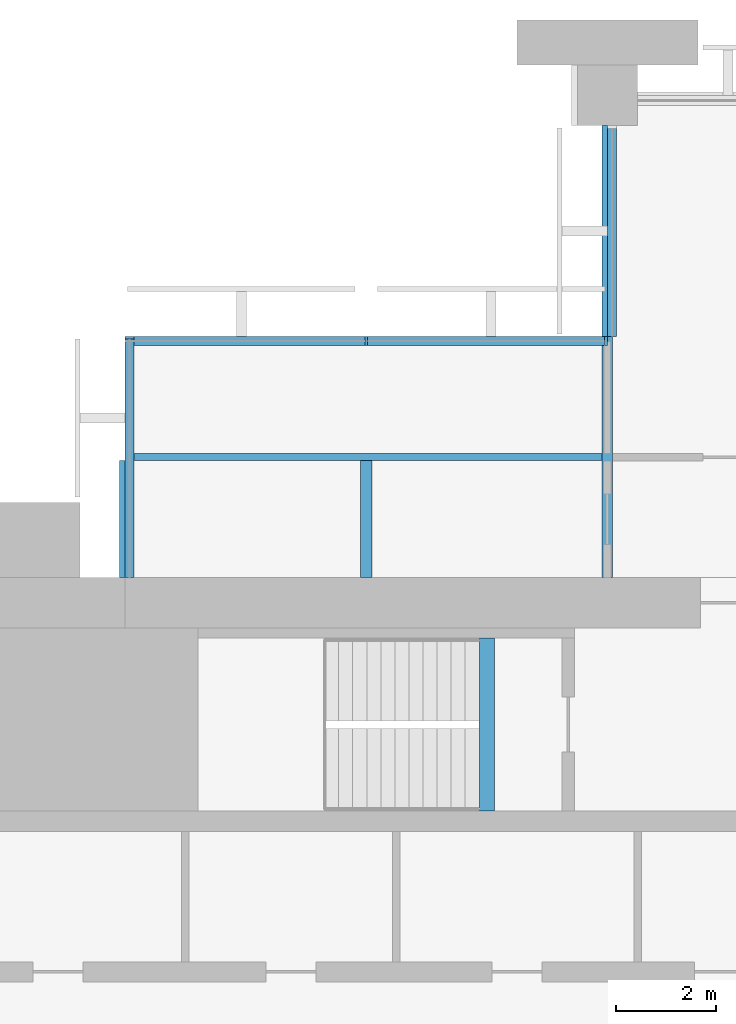
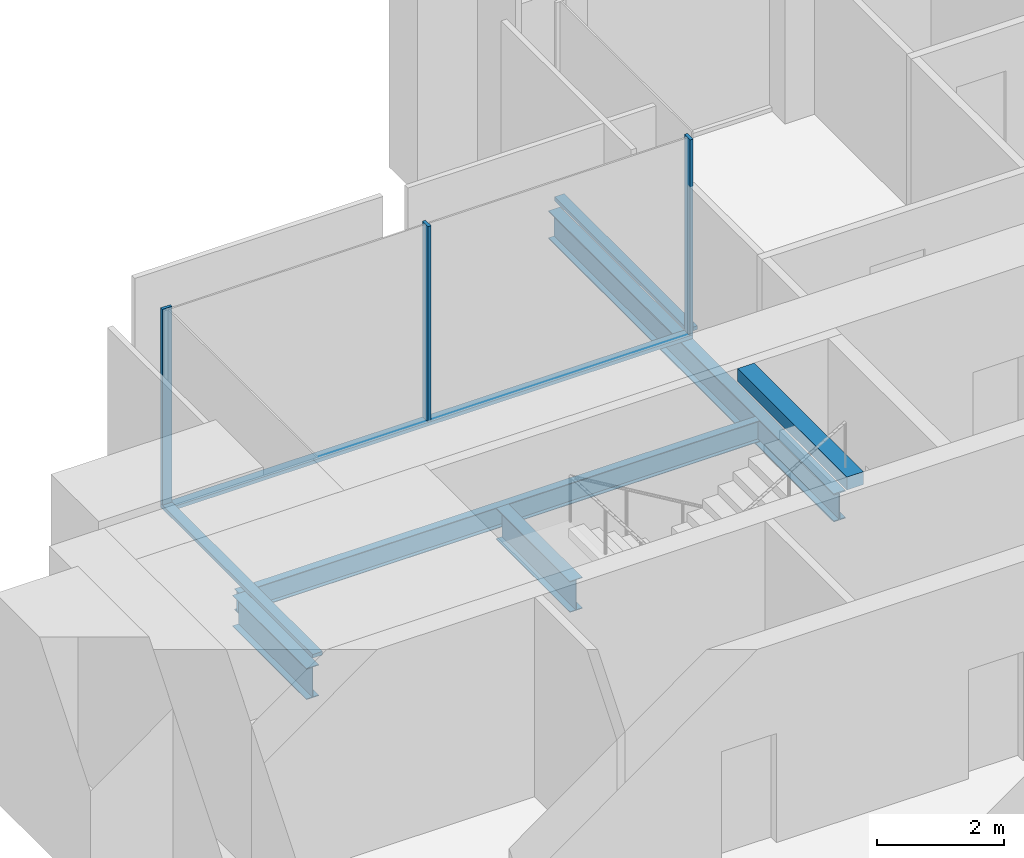
# One storey, part 5 of 14: 6 members, 5 beams, 3 elements without a shape of their own.
"""IFC4 building model written with IfcOpenShell, lengths in metres."""

from ifc_helpers import new_model, si_unit, direction, frame, origin, origin_2d, place, context, subcontext, project, spatial, rectangle, i_section, extrude, material, material_profile, profile_set, type_object, element, aggregate, save


model = new_model("IFC4")

# Units and contexts
model_context = context("Model", 3, precision=1e-05, world=origin(), true_north=direction((0.0, 1.0)))
body_context = subcontext(model_context, "Body", "Model", "MODEL_VIEW")
ifc_project = project(units=[si_unit("LENGTHUNIT", "METRE"), si_unit("AREAUNIT", "SQUARE_METRE"), si_unit("VOLUMEUNIT", "CUBIC_METRE"), si_unit("PLANEANGLEUNIT", "RADIAN"), si_unit("MASSUNIT", "GRAM", prefix="KILO")], contexts=[model_context])

# Site, building, storey
site_placement = place(None, origin())
site = spatial("IfcSite", under=ifc_project, at=site_placement, CompositionType="ELEMENT")
building_placement = place(site_placement, origin())
building = spatial("IfcBuilding", under=site, at=building_placement, Name="Baori Bourse Tower", CompositionType="ELEMENT")
storey_placement = place(building_placement, frame((0.0, 0.0, 132.10009765625)))
storey = spatial("IfcBuildingStorey", under=building, at=storey_placement, Name="L28", CompositionType="ELEMENT", Elevation=132.10009765625)

# Curtain wall, members
ifc_material_1 = material(Name="Pale anodised aluminium", Category="aluminium")
curtain_wall_type = type_object("IfcCurtainWallType", Name="CW2 Curtain wall", PredefinedType="NOTDEFINED", material=ifc_material_1)
curtain_wall_1_placement = place(storey_placement, origin())
curtain_wall_1 = element("IfcCurtainWall", 1, at=curtain_wall_1_placement, inside=storey, type_object=curtain_wall_type, Name="Curtain wall CW2 L28 6", PredefinedType="NOTDEFINED")
ifc_material_2 = material(Name="Pale anodised aluminium", Category="aluminium")
ifc_material_profile_1 = material_profile(ifc_material_2, rectangle(XDim=0.179931640625, YDim=0.054931640625, at=origin_2d()), Name="Mullion 55x180")
ifc_profile_set_1 = profile_set([ifc_material_profile_1], Name="Pale anodised aluminium")
member_type_1 = type_object("IfcMemberType", Name="CW2 Curtain wall mullion", PredefinedType="MULLION", material=ifc_profile_set_1)
member_1_placement = place(storey_placement, frame((14.37255859375, 43.110107421875, 0.06982421875), z_axis=(0.0, 0.0, 1.0), x_axis=(0.0, -1.0, 0.0)))
member_1 = element("IfcMember", 2, at=member_1_placement, type_object=member_type_1, Name="Curtain wall CW2 mullion", PredefinedType="MULLION", context=body_context, shape_type="SweptSolid", body=[
    extrude(rectangle(XDim=0.179931640625, YDim=0.054931640625, at=origin_2d()), origin(), (0.0, 0.0, 1.0), 3.77001953125),
])
member_2_placement = place(storey_placement, frame((9.60009765625, 43.110107421875, 0.06982421875), z_axis=(0.0, 0.0, 1.0), x_axis=(0.0, -1.0, 0.0)))
member_2 = element("IfcMember", 3, at=member_2_placement, type_object=member_type_1, Name="Curtain wall CW2 mullion", PredefinedType="MULLION", context=body_context, shape_type="SweptSolid", body=[
    extrude(rectangle(XDim=0.179931640625, YDim=0.054931640625, at=origin_2d()), origin(), (0.0, 0.0, 1.0), 3.77001953125),
])

# Curtain wall, member
curtain_wall_2_placement = place(storey_placement, origin())
curtain_wall_2 = element("IfcCurtainWall", 4, at=curtain_wall_2_placement, inside=storey, type_object=curtain_wall_type, Name="Curtain wall CW2 L28 7", PredefinedType="NOTDEFINED")
member_3_placement = place(storey_placement, frame((4.889892578125, 43.172607421875, 0.06982421875), z_axis=(0.0, 0.0, 1.0), x_axis=(1.0, 0.0, 0.0)))
member_3 = element("IfcMember", 5, at=member_3_placement, type_object=member_type_1, Name="Curtain wall CW2 mullion", PredefinedType="MULLION", context=body_context, shape_type="SweptSolid", body=[
    extrude(rectangle(XDim=0.179931640625, YDim=0.054931640625, at=origin_2d()), origin(), (0.0, 0.0, 1.0), 3.77001953125),
])

curtain_wall_3_placement = place(storey_placement, origin())
curtain_wall_3 = element("IfcCurtainWall", 6, at=curtain_wall_3_placement, inside=storey, type_object=curtain_wall_type, Name="Curtain wall CW2 L28 5", PredefinedType="NOTDEFINED")
ifc_material_3 = material(Name="Pale anodised aluminium", Category="aluminium")
ifc_material_profile_2 = material_profile(ifc_material_3, rectangle(XDim=0.179931640625, YDim=0.070068359375, at=origin_2d()), Name="Transom 70x180")
ifc_profile_set_2 = profile_set([ifc_material_profile_2], Name="Pale anodised aluminium")
member_type_2 = type_object("IfcMemberType", Name="CW2 Curtain wall transom", PredefinedType="USERDEFINED", material=ifc_profile_set_2)
member_4_placement = place(storey_placement, frame((14.489990234375, 47.39990234375, 0.034912109375), z_axis=(0.0, -1.0, 0.0), x_axis=(1.0, 0.0, 0.0)))
member_4 = element("IfcMember", 7, at=member_4_placement, type_object=member_type_2, Name="Curtain wall CW2 sill rail", ObjectType="TRANSOM", PredefinedType="USERDEFINED", context=body_context, shape_type="SweptSolid", body=[
    extrude(rectangle(XDim=0.179931640625, YDim=0.070068359375, at=origin_2d()), origin(), (0.0, 0.0, 1.0), 4.199951171875),
])
aggregate(curtain_wall_3, [member_4])

# Member
member_5_placement = place(storey_placement, frame((14.39990234375, 43.110107421875, 0.034912109375), z_axis=(-1.0, 0.0, 0.0), x_axis=(0.0, -1.0, 0.0)))
member_5 = element("IfcMember", 8, at=member_5_placement, type_object=member_type_2, Name="Curtain wall CW2 sill rail", ObjectType="TRANSOM", PredefinedType="USERDEFINED", context=body_context, shape_type="SweptSolid", body=[
    extrude(rectangle(XDim=0.179931640625, YDim=0.070068359375, at=origin_2d()), origin(), (0.0, 0.0, 1.0), 9.599853515625),
])

aggregate(curtain_wall_1, [member_5, member_1, member_2])

member_6_placement = place(storey_placement, frame((4.889892578125, 43.199951171875, 0.034912109375), z_axis=(0.0, -1.0, 0.0), x_axis=(1.0, 0.0, 0.0)))
member_6 = element("IfcMember", 9, at=member_6_placement, type_object=member_type_2, Name="Curtain wall CW2 sill rail", ObjectType="TRANSOM", PredefinedType="USERDEFINED", context=body_context, shape_type="SweptSolid", body=[
    extrude(rectangle(XDim=0.179931640625, YDim=0.070068359375, at=origin_2d()), origin(), (0.0, 0.0, 1.0), 4.800048828125),
])

aggregate(curtain_wall_2, [member_6, member_3])

# Beams
ifc_material_4 = material(Name="Steel A992 Gr 50", Category="steel")
ifc_material_profile_3 = material_profile(ifc_material_4, i_section(OverallWidth=0.227783203125, OverallDepth=0.60205078125, WebThickness=0.010498046875, FlangeThickness=0.014892578125, at=origin_2d()), Name="W24x68")
ifc_profile_set_3 = profile_set([ifc_material_profile_3], Name="Steel A992 Gr 50")
beam_type_1 = type_object("IfcBeamType", Name="Core bracket W24x68", PredefinedType="BEAM", material=ifc_profile_set_3)
for number, where, z_axis, x_axis, name in (
    (10, (4.800048828125, 38.39990234375, -0.461181640625), (0.0, 1.0, 0.0), (-1.0, 0.0, 0.0), "Core bracket L28"),
    (11, (9.60009765625, 38.39990234375, -0.461181640625), (0.0, 1.0, 0.0), (-1.0, 0.0, 0.0), "Core bracket L28"),
):
    element("IfcBeam", number, at=place(storey_placement, frame(where, z_axis=z_axis, x_axis=x_axis)), inside=storey, type_object=beam_type_1, Name=name, PredefinedType="BEAM", context=body_context, shape_type="SweptSolid", body=[
        extrude(i_section(OverallWidth=0.227783203125, OverallDepth=0.60205078125, WebThickness=0.010498046875, FlangeThickness=0.014892578125, at=origin_2d()), origin(), (0.0, 0.0, 1.0), 2.329833984375),
    ])
ifc_material_5 = material(Name="Steel A992 Gr 50", Category="steel")
ifc_material_profile_4 = material_profile(ifc_material_5, i_section(OverallWidth=0.21240234375, OverallDepth=0.54345703125, WebThickness=0.01318359375, FlangeThickness=0.021240234375, at=origin_2d()), Name="W21x83")
ifc_profile_set_4 = profile_set([ifc_material_profile_4], Name="Steel A992 Gr 50")
beam_type_2 = type_object("IfcBeamType", Name="Floor beam W21x83", PredefinedType="BEAM", material=ifc_profile_set_4)
beam_1_placement = place(storey_placement, frame((14.39990234375, 38.39990234375, -0.431884765625), z_axis=(0.0, 1.0, 0.0), x_axis=(-1.0, 0.0, 0.0)))
element("IfcBeam", 12, at=beam_1_placement, inside=storey, type_object=beam_type_2, Name="Floor beam L28", PredefinedType="BEAM", context=body_context, shape_type="SweptSolid", body=[
    extrude(i_section(OverallWidth=0.21240234375, OverallDepth=0.54345703125, WebThickness=0.01318359375, FlangeThickness=0.021240234375, at=origin_2d()), origin(), (0.0, 0.0, 1.0), 9.0),
])
ifc_material_6 = material(Name="Concrete f'c 50 MPa", Category="concrete")
ifc_material_profile_5 = material_profile(ifc_material_6, rectangle(XDim=0.300048828125, YDim=0.25, at=origin_2d()), Name="RC 300x250")
ifc_profile_set_5 = profile_set([ifc_material_profile_5], Name="Concrete f'c 50 MPa")
beam_type_3 = type_object("IfcBeamType", Name="Stair nib beam RC 300x250", PredefinedType="BEAM", material=ifc_profile_set_5)
beam_2_placement = place(storey_placement, frame((12.0, 33.75, 3.71484375), z_axis=(0.0, 1.0, 0.0), x_axis=(-1.0, 0.0, 0.0)))
element("IfcBeam", 13, at=beam_2_placement, inside=storey, type_object=beam_type_3, Name="Stair WB nib beam L29", PredefinedType="BEAM", context=body_context, shape_type="SweptSolid", body=[
    extrude(rectangle(XDim=0.300048828125, YDim=0.25, at=origin_2d()), origin(), (0.0, 0.0, 1.0), 3.449951171875),
])
ifc_material_7 = material(Name="Steel A992 Gr 50", Category="steel")
ifc_material_profile_6 = material_profile(ifc_material_7, i_section(OverallWidth=0.140380859375, OverallDepth=0.40380859375, WebThickness=0.007080078125, FlangeThickness=0.01123046875, at=origin_2d()), Name="W16x31")
ifc_profile_set_6 = profile_set([ifc_material_profile_6], Name="Steel A992 Gr 50")
beam_type_4 = type_object("IfcBeamType", Name="Trimmer beam W16x31", PredefinedType="BEAM", material=ifc_profile_set_6)
beam_3_placement = place(storey_placement, frame((4.800048828125, 40.800048828125, -0.362060546875), z_axis=(1.0, 0.0, 0.0), x_axis=(0.0, 1.0, 0.0)))
element("IfcBeam", 14, at=beam_3_placement, inside=storey, type_object=beam_type_4, Name="Trimmer beam L28", PredefinedType="BEAM", context=body_context, shape_type="SweptSolid", body=[
    extrude(i_section(OverallWidth=0.140380859375, OverallDepth=0.40380859375, WebThickness=0.007080078125, FlangeThickness=0.01123046875, at=origin_2d()), origin(), (0.0, 0.0, 1.0), 9.493896484375),
])

save(model, "model.ifc")
